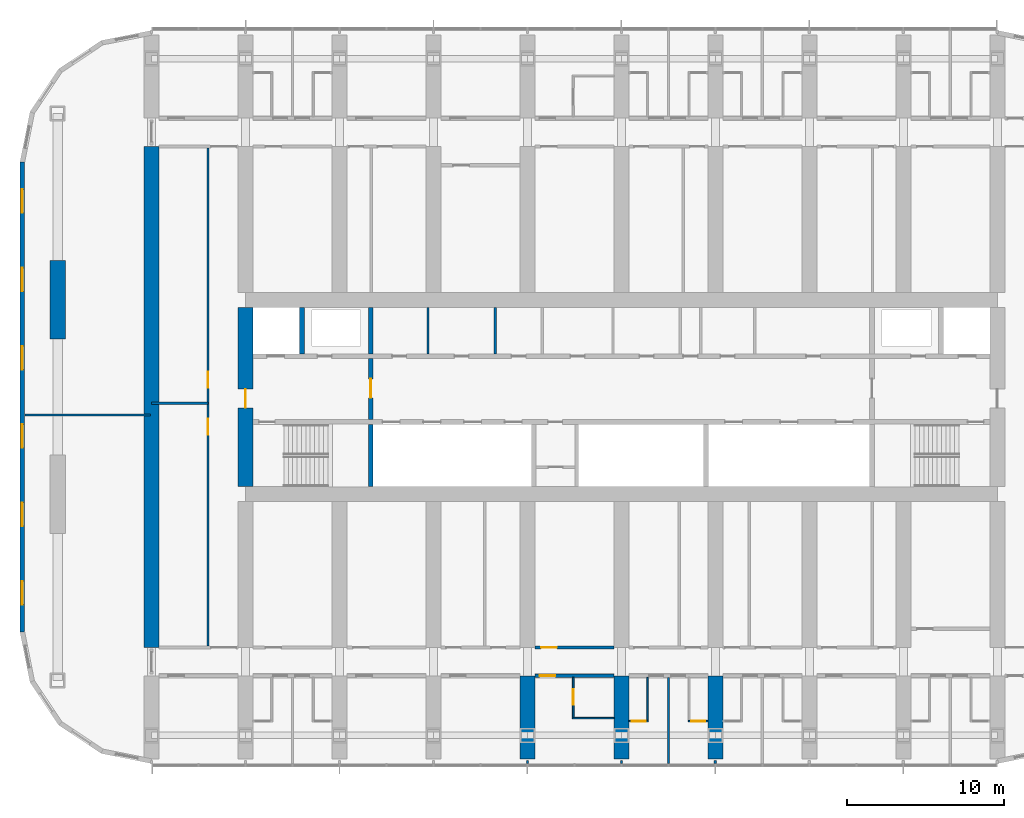
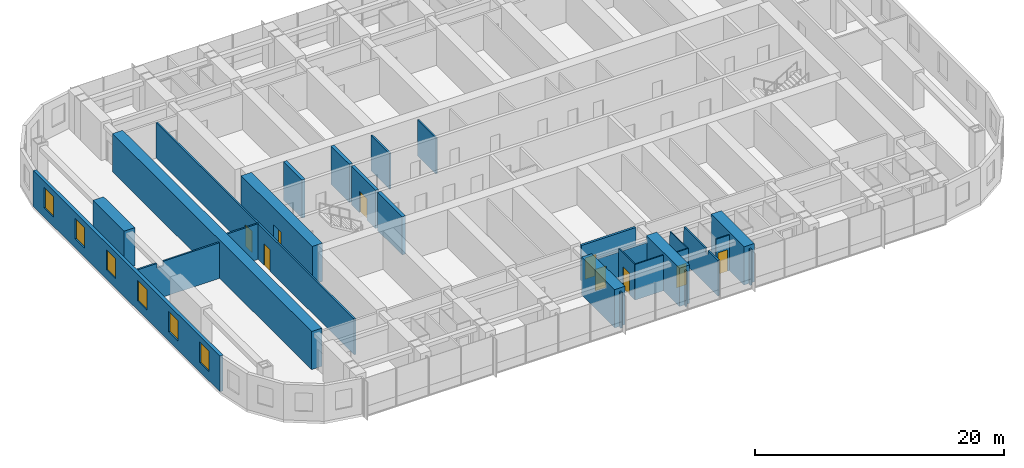
# One storey, part 9 of 21: 27 walls, 9 doors, 6 windows, 15 openings.
"""IFC4 building model written with IfcOpenShell, lengths in metres."""

from ifc_helpers import new_model, si_unit, direction, frame, frame_2d, origin, place, context, subcontext, project, spatial, polyline, rectangle, outline, extrude, material, layer, layer_set, type_object, element, fill, save


model = new_model("IFC4")

# Units and contexts
model_context = context("Model", 3, precision=1e-05, world=origin(), true_north=direction((0.0, 1.0)))
body_context = subcontext(model_context, "Body", "Model", "MODEL_VIEW")
ifc_project = project(units=[si_unit("LENGTHUNIT", "METRE"), si_unit("AREAUNIT", "SQUARE_METRE"), si_unit("VOLUMEUNIT", "CUBIC_METRE"), si_unit("PLANEANGLEUNIT", "RADIAN"), si_unit("MASSUNIT", "GRAM", prefix="KILO")], contexts=[model_context])

# Site, building, storey
site_placement = place(None, origin())
site = spatial("IfcSite", under=ifc_project, at=site_placement, CompositionType="ELEMENT")
building_placement = place(site_placement, origin())
building = spatial("IfcBuilding", under=site, at=building_placement, Name="Orbita Commons", CompositionType="ELEMENT")
storey_placement = place(building_placement, frame((0.0, 0.0, 106.89990234375)))
storey = spatial("IfcBuildingStorey", under=building, at=storey_placement, Name="L26", CompositionType="ELEMENT", Elevation=106.89990234375)

# Wall
ifc_material_1 = material(Name="Concrete C50/60", Category="concrete")
ifc_layer_1 = layer(ifc_material_1, 0.300048828125)
ifc_layer_set_1 = layer_set([ifc_layer_1], Name="Concrete C50/60")
wall_type_1 = type_object("IfcWallType", Name="Core inner wall 300 C50/60", PredefinedType="SHEAR", material=ifc_layer_set_1)
wall_1_placement = place(storey_placement, frame((26.0, 26.27490234375, 0.0), z_axis=(0.0, 0.0, 1.0), x_axis=(0.0, 1.0, 0.0)))
element("IfcWall", 1, at=wall_1_placement, inside=storey, type_object=wall_type_1, Name="Stair S1 wall L26", PredefinedType="SHEAR", context=body_context, shape_type="SweptSolid", body=[
    extrude(rectangle(XDim=3.97509765625, YDim=0.300048828125, at=frame_2d((1.987548828125, 0.0))), origin(), (0.0, 0.0, 1.0), 3.75),
])

# Wall, opening, door
wall_2_placement = place(storey_placement, frame((26.0, 30.550048828125, 0.0), z_axis=(0.0, 0.0, 1.0), x_axis=(0.0, 1.0, 0.0)))
wall_2 = element("IfcWall", 2, at=wall_2_placement, inside=storey, type_object=wall_type_1, Name="Firefighting lobby wall west L26", PredefinedType="SHEAR", context=body_context, shape_type="SweptSolid", body=[
    extrude(rectangle(XDim=3.89990234375, YDim=0.300048828125, at=frame_2d((1.949951171875, 0.0))), origin(), (0.0, 0.0, 1.0), 3.75),
])
opening_1_placement = place(wall_2_placement, frame((1.39990234375, 0.0, 0.0)))
opening_1 = element("IfcOpeningElement", 3, at=opening_1_placement, cuts=wall_2, Name="Opening D04", PredefinedType="OPENING", context=body_context, shape_type="SweptSolid", body=[
    extrude(rectangle(XDim=1.199951171875, YDim=2.10009765625, at=frame_2d((0.60009765625, 1.050048828125))), frame((0.0, 0.159912109375, 0.0), z_axis=(0.0, -1.0, 0.0), x_axis=(1.0, 0.0, 0.0)), (0.0, 0.0, 1.0), 0.320068359375),
])
ifc_material_2 = material(Name="Steel-faced fire door leaf", Category="steel")
door_type_1 = type_object("IfcDoorType", Name="Service door 20 min 1200x2100", OperationType="SINGLE_SWING_LEFT", PredefinedType="DOOR", material=ifc_material_2)
door_1_placement = place(opening_1_placement, origin())
door_1 = element("IfcDoor", 4, at=door_1_placement, inside=storey, type_object=door_type_1, Name="Lift lobby door west", OperationType="SINGLE_SWING_LEFT", OverallHeight=2.10009765625, OverallWidth=1.199951171875, PredefinedType="DOOR", context=body_context, shape_type="SweptSolid", body=[
    extrude(rectangle(XDim=1.199951171875, YDim=2.10009765625, at=frame_2d((0.60009765625, 1.050048828125))), frame((0.0, 0.02490234375, 0.0), z_axis=(0.0, -1.0, 0.0), x_axis=(1.0, 0.0, 0.0)), (0.0, 0.0, 1.0), 0.050048828125),
])
fill(opening_1, door_1)

# Walls
for number, where, z_axis, x_axis, name in (
    (5, (21.60009765625, 34.75, 0.0), (0.0, 0.0, 1.0), (0.0, 1.0, 0.0), "Firefighting lift FL1 shaft wall L26"),
    (6, (26.0, 34.75, 0.0), (0.0, 0.0, 1.0), (0.0, 1.0, 0.0), "Riser wall west L26"),
):
    element("IfcWall", number, at=place(storey_placement, frame(where, z_axis=z_axis, x_axis=x_axis)), inside=storey, type_object=wall_type_1, Name=name, PredefinedType="SHEAR", context=body_context, shape_type="SweptSolid", body=[
        extrude(rectangle(XDim=2.97509765625, YDim=0.300048828125, at=frame_2d((1.487548828125, 0.0))), origin(), (0.0, 0.0, 1.0), 3.75),
    ])
ifc_material_3 = material(Name="Concrete blockwork", Category="masonry")
ifc_layer_2 = layer(ifc_material_3, 0.14990234375)
ifc_layer_set_2 = layer_set([ifc_layer_2], Name="Concrete blockwork")
wall_type_2 = type_object("IfcWallType", Name="Core partition 150 blockwork", PredefinedType="SOLIDWALL", material=ifc_layer_set_2)
for number, where, z_axis, x_axis, name in (
    (7, (29.65087890625, 34.75, 0.0), (0.0, 0.0, 1.0), (0.0, 1.0, 0.0), "Core partition 150 blockwork L26"),
    (8, (33.9462890625, 34.75, 0.0), (0.0, 0.0, 1.0), (0.0, 1.0, 0.0), "Core partition 150 blockwork L26"),
):
    element("IfcWall", number, at=place(storey_placement, frame(where, z_axis=z_axis, x_axis=x_axis)), inside=storey, type_object=wall_type_2, Name=name, PredefinedType="SOLIDWALL", context=body_context, shape_type="SweptSolid", body=[
        extrude(rectangle(XDim=2.97509765625, YDim=0.14990234375, at=frame_2d((1.487548828125, 0.0))), origin(), (0.0, 0.0, 1.0), 3.5),
    ])

# Wall, opening, door
ifc_material_4 = material(Name="Concrete C50/60", Category="concrete")
ifc_layer_3 = layer(ifc_material_4, 0.949951171875)
ifc_layer_set_3 = layer_set([ifc_layer_3], Name="Concrete C50/60")
wall_type_3 = type_object("IfcWallType", Name="Core wall 950 C50/60", PredefinedType="SHEAR", material=ifc_layer_set_3)
wall_3_placement = place(storey_placement, frame((18.0, 26.27490234375, 0.0), z_axis=(0.0, 0.0, 1.0), x_axis=(0.0, 1.0, 0.0)))
wall_3 = element("IfcWall", 9, at=wall_3_placement, inside=storey, type_object=wall_type_3, Name="Core end wall west L26", PredefinedType="SHEAR", context=body_context, shape_type="SweptSolid", body=[
    extrude(rectangle(XDim=11.4501953125, YDim=0.949951171875, at=frame_2d((5.72509765625, 0.0))), origin(), (0.0, 0.0, 1.0), 3.75),
])
opening_2_placement = place(wall_3_placement, frame((5.02490234375, 0.0, 0.0)))
opening_2 = element("IfcOpeningElement", 10, at=opening_2_placement, cuts=wall_3, Name="Opening D01", PredefinedType="OPENING", context=body_context, shape_type="SweptSolid", body=[
    extrude(rectangle(XDim=1.199951171875, YDim=2.10009765625, at=frame_2d((0.60009765625, 1.050048828125))), frame((0.0, 0.48486328125, 0.0), z_axis=(0.0, -1.0, 0.0), x_axis=(1.0, 0.0, 0.0)), (0.0, 0.0, 1.0), 0.969970703125),
])
ifc_material_5 = material(Name="Steel-faced fire door leaf", Category="steel")
door_type_2 = type_object("IfcDoorType", Name="Fire door 90 min 1200x2100", OperationType="SINGLE_SWING_LEFT", PredefinedType="DOOR", material=ifc_material_5)
door_2_placement = place(opening_2_placement, origin())
door_2 = element("IfcDoor", 11, at=door_2_placement, inside=storey, type_object=door_type_2, Name="Firefighting lobby west door", OperationType="SINGLE_SWING_LEFT", OverallHeight=2.10009765625, OverallWidth=1.199951171875, PredefinedType="DOOR", context=body_context, shape_type="SweptSolid", body=[
    extrude(rectangle(XDim=1.199951171875, YDim=2.10009765625, at=frame_2d((0.60009765625, 1.050048828125))), frame((0.0, 0.02490234375, 0.0), z_axis=(0.0, -1.0, 0.0), x_axis=(1.0, 0.0, 0.0)), (0.0, 0.0, 1.0), 0.050048828125),
])
fill(opening_2, door_2)

ifc_material_6 = material(Name="Concrete blockwork", Category="masonry")
ifc_layer_4 = layer(ifc_material_6, 0.199951171875)
ifc_layer_set_4 = layer_set([ifc_layer_4], Name="Concrete blockwork")
wall_type_4 = type_object("IfcWallType", Name="Corridor wall 200 blockwork", PredefinedType="SOLIDWALL", material=ifc_layer_set_4)
wall_4_placement = place(storey_placement, frame((36.47509765625, 14.199951171875, 0.0), z_axis=(0.0, 0.0, 1.0), x_axis=(1.0, 0.0, 0.0)))
wall_4 = element("IfcWall", 12, at=wall_4_placement, inside=storey, type_object=wall_type_4, Name="Corridor wall 200 blockwork L26", PredefinedType="SOLIDWALL", context=body_context, shape_type="SweptSolid", body=[
    extrude(outline(polyline([(0.0, 0.0), (5.0498046875, 0.0), (5.050048828125, 3.10009765625), (0.0, 3.10009765625), (0.0, 0.0)])), frame((0.0, 0.10009765625, 0.0), z_axis=(0.0, -1.0, 0.0), x_axis=(1.0, 0.0, 0.0)), (0.0, 0.0, 1.0), 0.199951171875),
])
opening_3_placement = place(wall_4_placement, frame((0.300048828125, 0.0, 0.0)))
opening_3 = element("IfcOpeningElement", 13, at=opening_3_placement, cuts=wall_4, Name="Opening D06", PredefinedType="OPENING", context=body_context, shape_type="SweptSolid", body=[
    extrude(rectangle(XDim=1.0, YDim=2.10009765625, at=frame_2d((0.5, 1.050048828125))), frame((0.0, 0.10986328125, 0.0), z_axis=(0.0, -1.0, 0.0), x_axis=(1.0, 0.0, 0.0)), (0.0, 0.0, 1.0), 0.219970703125),
])
ifc_material_7 = material(Name="Steel-faced fire door leaf", Category="steel")
door_type_3 = type_object("IfcDoorType", Name="Corridor door 20 min 1000x2100", OperationType="SINGLE_SWING_LEFT", PredefinedType="DOOR", material=ifc_material_7)
door_3_placement = place(opening_3_placement, origin())
door_3 = element("IfcDoor", 14, at=door_3_placement, inside=storey, type_object=door_type_3, Name="Accessible bedroom L26-S08 door", OperationType="SINGLE_SWING_LEFT", OverallHeight=2.10009765625, OverallWidth=1.0, PredefinedType="DOOR", context=body_context, shape_type="SweptSolid", body=[
    extrude(rectangle(XDim=1.0, YDim=2.10009765625, at=frame_2d((0.5, 1.050048828125))), frame((0.0, 0.02490234375, 0.0), z_axis=(0.0, -1.0, 0.0), x_axis=(1.0, 0.0, 0.0)), (0.0, 0.0, 1.0), 0.050048828125),
])
fill(opening_3, door_3)

ifc_material_8 = material(Name="Hollow concrete block 200", Category="concrete")
ifc_layer_5 = layer(ifc_material_8, 0.199951171875)
ifc_layer_set_5 = layer_set([ifc_layer_5], Name="Hollow concrete block 200")
wall_type_5 = type_object("IfcWallType", Name="Corridor wall 200 hollow concrete block", PredefinedType="SOLIDWALL", material=ifc_layer_set_5)
wall_5_placement = place(storey_placement, frame((36.47509765625, 16.0, 0.0), z_axis=(0.0, 0.0, 1.0), x_axis=(1.0, 0.0, 0.0)))
wall_5 = element("IfcWall", 15, at=wall_5_placement, inside=storey, type_object=wall_type_5, Name="Corridor wall 200 hollow concrete block L26", PredefinedType="SOLIDWALL", context=body_context, shape_type="SweptSolid", body=[
    extrude(rectangle(XDim=5.0498046875, YDim=0.199951171875, at=frame_2d((2.52490234375, 0.0))), origin(), (0.0, 0.0, 1.0), 3.5),
])
opening_4_placement = place(wall_5_placement, frame((0.39990234375, 0.0, 0.0)))
opening_4 = element("IfcOpeningElement", 16, at=opening_4_placement, cuts=wall_5, Name="Opening D06", PredefinedType="OPENING", context=body_context, shape_type="SweptSolid", body=[
    extrude(rectangle(XDim=1.0, YDim=2.10009765625, at=frame_2d((0.5, 1.050048828125))), frame((0.0, 0.10986328125, 0.0), z_axis=(0.0, -1.0, 0.0), x_axis=(1.0, 0.0, 0.0)), (0.0, 0.0, 1.0), 0.219970703125),
])
door_4_placement = place(opening_4_placement, origin())
door_4 = element("IfcDoor", 17, at=door_4_placement, inside=storey, type_object=door_type_3, Name="IT and print room L26-BDS36 door", OperationType="SINGLE_SWING_LEFT", OverallHeight=2.10009765625, OverallWidth=1.0, PredefinedType="DOOR", context=body_context, shape_type="SweptSolid", body=[
    extrude(rectangle(XDim=1.0, YDim=2.10009765625, at=frame_2d((0.5, 1.050048828125))), frame((0.0, 0.02490234375, 0.0), z_axis=(0.0, -1.0, 0.0), x_axis=(1.0, 0.0, 0.0)), (0.0, 0.0, 1.0), 0.050048828125),
])
fill(opening_4, door_4)

# Walls
ifc_material_9 = material(Name="Concrete C50/60", Category="concrete")
ifc_layer_6 = layer(ifc_material_9, 0.949951171875)
ifc_layer_set_6 = layer_set([ifc_layer_6], Name="Concrete C50/60")
wall_type_6 = type_object("IfcWallType", Name="Cross wall 950 C50/60", PredefinedType="SHEAR", material=ifc_layer_set_6)
wall_6_placement = place(storey_placement, frame((12.0, 16.0, 0.0), z_axis=(0.0, 0.0, 1.0), x_axis=(0.0, 1.0, 0.0)))
element("IfcWall", 18, at=wall_6_placement, inside=storey, type_object=wall_type_6, Name="Cross wall 3 inner L26", PredefinedType="SHEAR", context=body_context, shape_type="SweptSolid", body=[
    extrude(rectangle(XDim=32.0, YDim=0.949951171875, at=frame_2d((16.0, 0.0))), origin(), (0.0, 0.0, 1.0), 3.75),
])
for number, where, z_axis, x_axis, name in (
    (19, (36.0, 8.89990234375, 0.0), (0.0, 0.0, 1.0), (0.0, 1.0, 0.0), "Cross wall 7 south outer L26"),
    (20, (42.0, 8.89990234375, 0.0), (0.0, 0.0, 1.0), (0.0, 1.0, 0.0), "Cross wall 8 south outer L26"),
    (21, (48.0, 8.89990234375, 0.0), (0.0, 0.0, 1.0), (0.0, 1.0, 0.0), "Cross wall 9 south outer L26"),
):
    element("IfcWall", number, at=place(storey_placement, frame(where, z_axis=z_axis, x_axis=x_axis)), inside=storey, type_object=wall_type_6, Name=name, PredefinedType="SHEAR", context=body_context, shape_type="SweptSolid", body=[
        extrude(rectangle(XDim=5.300048828125, YDim=0.949951171875, at=frame_2d((2.64990234375, 0.0))), origin(), (0.0, 0.0, 1.0), 3.75),
    ])
ifc_material_10 = material(Name="Moisture-resistant plasterboard on steel studs", Category="steel")
ifc_layer_7 = layer(ifc_material_10, 0.10009765625)
ifc_layer_set_7 = layer_set([ifc_layer_7], Name="Moisture-resistant plasterboard on steel studs")
wall_type_7 = type_object("IfcWallType", Name="En-suite partition 100", PredefinedType="PARTITIONING", material=ifc_layer_set_7)
wall_7_placement = place(storey_placement, frame((38.875, 11.5, 0.0), z_axis=(0.0, 0.0, 1.0), x_axis=(1.0, 0.0, 0.0)))
element("IfcWall", 22, at=wall_7_placement, inside=storey, type_object=wall_type_7, Name="En-suite partition 100 L26", PredefinedType="PARTITIONING", context=body_context, shape_type="SweptSolid", body=[
    extrude(rectangle(XDim=2.64990234375, YDim=0.10009765625, at=frame_2d((1.324951171875, 0.0))), origin(), (0.0, 0.0, 1.0), 3.5),
])

# Wall, opening, door
wall_8_placement = place(storey_placement, frame((38.925048828125, 11.550048828125, 0.0), z_axis=(0.0, 0.0, 1.0), x_axis=(0.0, 1.0, 0.0)))
wall_8 = element("IfcWall", 23, at=wall_8_placement, inside=storey, type_object=wall_type_7, Name="En-suite partition 100 L26", PredefinedType="PARTITIONING", context=body_context, shape_type="SweptSolid", body=[
    extrude(outline(polyline([(0.0, 0.0), (2.550048828125, 0.0), (2.550048828125, 3.10009765625), (2.501953125, 3.10009765625), (2.5, 3.5), (0.0, 3.5), (0.0, 0.0)])), frame((0.0, 0.050048828125, 0.0), z_axis=(0.0, -1.0, 0.0), x_axis=(1.0, 0.0, 0.0)), (0.0, 0.0, 1.0), 0.10009765625),
])
opening_5_placement = place(wall_8_placement, frame((0.800048828125, 0.0, 0.0)))
opening_5 = element("IfcOpeningElement", 24, at=opening_5_placement, cuts=wall_8, Name="Opening D13", PredefinedType="OPENING", context=body_context, shape_type="SweptSolid", body=[
    extrude(rectangle(XDim=1.0, YDim=2.10009765625, at=frame_2d((0.5, 1.050048828125))), frame((0.0, 0.06005859375, 0.0), z_axis=(0.0, -1.0, 0.0), x_axis=(1.0, 0.0, 0.0)), (0.0, 0.0, 1.0), 0.1201171875),
])
ifc_material_11 = material(Name="Laminated timber door leaf", Category="wood")
door_type_4 = type_object("IfcDoorType", Name="En-suite door 1000x2100", OperationType="SINGLE_SWING_RIGHT", PredefinedType="DOOR", material=ifc_material_11)
door_5_placement = place(opening_5_placement, origin())
door_5 = element("IfcDoor", 25, at=door_5_placement, inside=storey, type_object=door_type_4, Name="Accessible shower room L26-S08 door", OperationType="SINGLE_SWING_RIGHT", OverallHeight=2.10009765625, OverallWidth=1.0, PredefinedType="DOOR", context=body_context, shape_type="SweptSolid", body=[
    extrude(rectangle(XDim=1.0, YDim=2.10009765625, at=frame_2d((0.5, 1.050048828125))), frame((0.0, 0.02490234375, 0.0), z_axis=(0.0, -1.0, 0.0), x_axis=(1.0, 0.0, 0.0)), (0.0, 0.0, 1.0), 0.050048828125),
])
fill(opening_5, door_5)

wall_9_placement = place(storey_placement, frame((43.72509765625, 11.300048828125, 0.0), z_axis=(0.0, 0.0, 1.0), x_axis=(-1.0, 0.0, 0.0)))
wall_9 = element("IfcWall", 26, at=wall_9_placement, inside=storey, type_object=wall_type_7, Name="En-suite partition 100 L26", PredefinedType="PARTITIONING", context=body_context, shape_type="SweptSolid", body=[
    extrude(rectangle(XDim=1.25, YDim=0.10009765625, at=frame_2d((0.625, 0.0))), origin(), (0.0, 0.0, 1.0), 3.5),
])
opening_6_placement = place(wall_9_placement, frame((0.175048828125, 0.0, 0.0)))
opening_6 = element("IfcOpeningElement", 27, at=opening_6_placement, cuts=wall_9, Name="Opening D09", PredefinedType="OPENING", context=body_context, shape_type="SweptSolid", body=[
    extrude(rectangle(XDim=0.89990234375, YDim=2.10009765625, at=frame_2d((0.449951171875, 1.050048828125))), frame((0.0, 0.06005859375, 0.0), z_axis=(0.0, -1.0, 0.0), x_axis=(1.0, 0.0, 0.0)), (0.0, 0.0, 1.0), 0.1201171875),
])
ifc_material_12 = material(Name="Laminated timber door leaf", Category="wood")
door_type_5 = type_object("IfcDoorType", Name="En-suite door 900x2100", OperationType="SINGLE_SWING_RIGHT", PredefinedType="DOOR", material=ifc_material_12)
door_6_placement = place(opening_6_placement, origin())
door_6 = element("IfcDoor", 28, at=door_6_placement, inside=storey, type_object=door_type_5, Name="En-suite L26-S10 door", OperationType="SINGLE_SWING_RIGHT", OverallHeight=2.10009765625, OverallWidth=0.89990234375, PredefinedType="DOOR", context=body_context, shape_type="SweptSolid", body=[
    extrude(rectangle(XDim=0.89990234375, YDim=2.10009765625, at=frame_2d((0.449951171875, 1.050048828125))), frame((0.0, 0.02490234375, 0.0), z_axis=(0.0, -1.0, 0.0), x_axis=(1.0, 0.0, 0.0)), (0.0, 0.0, 1.0), 0.050048828125),
])
fill(opening_6, door_6)

# Wall
wall_10_placement = place(storey_placement, frame((43.675048828125, 11.35009765625, 0.0), z_axis=(0.0, 0.0, 1.0), x_axis=(0.0, 1.0, 0.0)))
element("IfcWall", 29, at=wall_10_placement, inside=storey, type_object=wall_type_7, Name="En-suite partition 100 L26", PredefinedType="PARTITIONING", context=body_context, shape_type="SweptSolid", body=[
    extrude(outline(polyline([(0.0, 0.0), (2.75, 0.0), (2.75, 3.10009765625), (2.701904296875, 3.10009765625), (2.699951171875, 3.5), (0.0, 3.5), (0.0, 0.0)])), frame((0.0, 0.050048828125, 0.0), z_axis=(0.0, -1.0, 0.0), x_axis=(1.0, 0.0, 0.0)), (0.0, 0.0, 1.0), 0.10009765625),
])

# Wall, opening, door
wall_11_placement = place(storey_placement, frame((47.52490234375, 11.300048828125, 0.0), z_axis=(0.0, 0.0, 1.0), x_axis=(-1.0, 0.0, 0.0)))
wall_11 = element("IfcWall", 30, at=wall_11_placement, inside=storey, type_object=wall_type_7, Name="En-suite partition 100 L26", PredefinedType="PARTITIONING", context=body_context, shape_type="SweptSolid", body=[
    extrude(rectangle(XDim=1.25, YDim=0.10009765625, at=frame_2d((0.625, 0.0))), origin(), (0.0, 0.0, 1.0), 3.5),
])
opening_7_placement = place(wall_11_placement, frame((0.175048828125, 0.0, 0.0)))
opening_7 = element("IfcOpeningElement", 31, at=opening_7_placement, cuts=wall_11, Name="Opening D09", PredefinedType="OPENING", context=body_context, shape_type="SweptSolid", body=[
    extrude(rectangle(XDim=0.89990234375, YDim=2.10009765625, at=frame_2d((0.449951171875, 1.050048828125))), frame((0.0, 0.06005859375, 0.0), z_axis=(0.0, -1.0, 0.0), x_axis=(1.0, 0.0, 0.0)), (0.0, 0.0, 1.0), 0.1201171875),
])
door_7_placement = place(opening_7_placement, origin())
door_7 = element("IfcDoor", 32, at=door_7_placement, inside=storey, type_object=door_type_5, Name="En-suite L26-S11 door", OperationType="SINGLE_SWING_RIGHT", OverallHeight=2.10009765625, OverallWidth=0.89990234375, PredefinedType="DOOR", context=body_context, shape_type="SweptSolid", body=[
    extrude(rectangle(XDim=0.89990234375, YDim=2.10009765625, at=frame_2d((0.449951171875, 1.050048828125))), frame((0.0, 0.02490234375, 0.0), z_axis=(0.0, -1.0, 0.0), x_axis=(1.0, 0.0, 0.0)), (0.0, 0.0, 1.0), 0.050048828125),
])
fill(opening_7, door_7)

# Wall
ifc_material_13 = material(Name="Concrete C50/60", Category="concrete")
ifc_layer_8 = layer(ifc_material_13, 1.0)
ifc_layer_set_8 = layer_set([ifc_layer_8], Name="Concrete C50/60")
wall_type_8 = type_object("IfcWallType", Name="End pier 1000x5000 C50/60", PredefinedType="SHEAR", material=ifc_layer_set_8)
wall_12_placement = place(storey_placement, frame((6.0, 35.699951171875, 0.0), z_axis=(0.0, 0.0, 1.0), x_axis=(0.0, 1.0, 0.0)))
element("IfcWall", 33, at=wall_12_placement, inside=storey, type_object=wall_type_8, Name="End pier 2/D L26", PredefinedType="SHEAR", context=body_context, shape_type="SweptSolid", body=[
    extrude(rectangle(XDim=5.0, YDim=1.0, at=frame_2d((2.5, 0.0))), origin(), (0.0, 0.0, 1.0), 3.75),
])

# Wall, openings, doors
ifc_material_14 = material(Name="Gypsum plasterboard on steel studs", Category="steel")
ifc_layer_9 = layer(ifc_material_14, 0.14990234375)
ifc_layer_set_9 = layer_set([ifc_layer_9], Name="Gypsum plasterboard on steel studs")
wall_type_9 = type_object("IfcWallType", Name="Partition 150 plasterboard", PredefinedType="PARTITIONING", material=ifc_layer_set_9)
wall_13_placement = place(storey_placement, frame((15.60009765625, 16.10009765625, 0.0), z_axis=(0.0, 0.0, 1.0), x_axis=(0.0, 1.0, 0.0)))
wall_13 = element("IfcWall", 34, at=wall_13_placement, inside=storey, type_object=wall_type_9, Name="Partition 150 plasterboard L26", PredefinedType="PARTITIONING", context=body_context, shape_type="SweptSolid", body=[
    extrude(rectangle(XDim=31.7998046875, YDim=0.14990234375, at=frame_2d((15.89990234375, 0.0))), origin(), (0.0, 0.0, 1.0), 3.5),
])
opening_8_placement = place(wall_13_placement, frame((13.5, 0.0, 0.0)))
opening_8 = element("IfcOpeningElement", 35, at=opening_8_placement, cuts=wall_13, Name="Opening D06", PredefinedType="OPENING", context=body_context, shape_type="SweptSolid", body=[
    extrude(rectangle(XDim=1.0, YDim=2.10009765625, at=frame_2d((0.5, 1.050048828125))), frame((0.0, 0.0849609375, 0.0), z_axis=(0.0, -1.0, 0.0), x_axis=(1.0, 0.0, 0.0)), (0.0, 0.0, 1.0), 0.169921875),
])
opening_9_placement = place(wall_13_placement, frame((16.5, 0.0, 0.0)))
opening_9 = element("IfcOpeningElement", 36, at=opening_9_placement, cuts=wall_13, Name="Opening D06", PredefinedType="OPENING", context=body_context, shape_type="SweptSolid", body=[
    extrude(rectangle(XDim=1.0, YDim=2.10009765625, at=frame_2d((0.5, 1.050048828125))), frame((0.0, 0.0849609375, 0.0), z_axis=(0.0, -1.0, 0.0), x_axis=(1.0, 0.0, 0.0)), (0.0, 0.0, 1.0), 0.169921875),
])
door_8_placement = place(opening_8_placement, origin())
door_8 = element("IfcDoor", 37, at=door_8_placement, inside=storey, type_object=door_type_3, Name="Interview room door", OperationType="SINGLE_SWING_LEFT", OverallHeight=2.10009765625, OverallWidth=1.0, PredefinedType="DOOR", context=body_context, shape_type="SweptSolid", body=[
    extrude(rectangle(XDim=1.0, YDim=2.10009765625, at=frame_2d((0.5, 1.050048828125))), frame((0.0, 0.02490234375, 0.0), z_axis=(0.0, -1.0, 0.0), x_axis=(1.0, 0.0, 0.0)), (0.0, 0.0, 1.0), 0.050048828125),
])
fill(opening_8, door_8)
door_9_placement = place(opening_9_placement, origin())
door_9 = element("IfcDoor", 38, at=door_9_placement, inside=storey, type_object=door_type_3, Name="Prayer room door", OperationType="SINGLE_SWING_LEFT", OverallHeight=2.10009765625, OverallWidth=1.0, PredefinedType="DOOR", context=body_context, shape_type="SweptSolid", body=[
    extrude(rectangle(XDim=1.0, YDim=2.10009765625, at=frame_2d((0.5, 1.050048828125))), frame((0.0, 0.02490234375, 0.0), z_axis=(0.0, -1.0, 0.0), x_axis=(1.0, 0.0, 0.0)), (0.0, 0.0, 1.0), 0.050048828125),
])
fill(opening_9, door_9)

# Walls
wall_14_placement = place(storey_placement, frame((12.0, 31.60009765625, 0.0), z_axis=(0.0, 0.0, 1.0), x_axis=(1.0, 0.0, 0.0)))
element("IfcWall", 39, at=wall_14_placement, inside=storey, type_object=wall_type_9, Name="Partition 150 plasterboard L26", PredefinedType="PARTITIONING", context=body_context, shape_type="SweptSolid", body=[
    extrude(rectangle(XDim=3.60009765625, YDim=0.14990234375, at=frame_2d((1.800048828125, 0.0))), origin(), (0.0, 0.0, 1.0), 3.5),
])
wall_15_placement = place(storey_placement, frame((3.905029296875, 30.85009765625, 0.0), z_axis=(0.0, 0.0, 1.0), x_axis=(1.0, 0.0, 0.0)))
element("IfcWall", 40, at=wall_15_placement, inside=storey, type_object=wall_type_9, Name="Partition 150 plasterboard L26", PredefinedType="PARTITIONING", context=body_context, shape_type="SweptSolid", body=[
    extrude(outline(polyline([(0.0, 0.0), (8.02001953125, 0.0), (8.02001953125, 3.5), (2.39697265625, 3.5), (2.39501953125, 3.050048828125), (1.797119140625, 3.050048828125), (1.794921875, 3.5), (0.0, 3.5), (0.0, 0.0)])), frame((0.0, 0.074951171875, 0.0), z_axis=(0.0, -1.0, 0.0), x_axis=(1.0, 0.0, 0.0)), (0.0, 0.0, 1.0), 0.14990234375),
])
for number, where, z_axis, x_axis, name in (
    (41, (36.0, 8.800048828125, 0.0), (0.0, 0.0, 1.0), (0.0, -1.0, 0.0), "Partition 150 plasterboard L26"),
    (42, (42.0, 8.800048828125, 0.0), (0.0, 0.0, 1.0), (0.0, -1.0, 0.0), "Partition 150 plasterboard L26"),
    (43, (48.0, 8.800048828125, 0.0), (0.0, 0.0, 1.0), (0.0, -1.0, 0.0), "Partition 150 plasterboard L26"),
):
    element("IfcWall", number, at=place(storey_placement, frame(where, z_axis=z_axis, x_axis=x_axis)), inside=storey, type_object=wall_type_9, Name=name, PredefinedType="PARTITIONING", context=body_context, shape_type="SweptSolid", body=[
        extrude(rectangle(XDim=0.18994140625, YDim=0.14990234375, at=frame_2d((0.094970703125, 0.0))), origin(), (0.0, 0.0, 1.0), 3.5),
    ])
ifc_material_15 = material(Name="Gypsum plasterboard on steel studs", Category="steel")
ifc_layer_10 = layer(ifc_material_15, 0.14990234375)
ifc_layer_set_10 = layer_set([ifc_layer_10], Name="Gypsum plasterboard on steel studs")
wall_type_10 = type_object("IfcWallType", Name="Party wall 150 plasterboard", PredefinedType="PARTITIONING", material=ifc_layer_set_10)
wall_16_placement = place(storey_placement, frame((45.0, 8.610107421875, 0.0), z_axis=(0.0, 0.0, 1.0), x_axis=(0.0, 1.0, 0.0)))
element("IfcWall", 44, at=wall_16_placement, inside=storey, type_object=wall_type_10, Name="Party wall 150 plasterboard L26", PredefinedType="PARTITIONING", context=body_context, shape_type="SweptSolid", body=[
    extrude(outline(polyline([(0.0, 0.0), (5.489990234375, 0.0), (5.489990234375, 3.10009765625), (5.44189453125, 3.10009765625), (5.43994140625, 3.5), (1.991943359375, 3.5), (1.989990234375, 3.10009765625), (1.592041015625, 3.10009765625), (1.590087890625, 3.5), (0.0, 3.5), (0.0, 0.0)])), frame((0.0, 0.074951171875, 0.0), z_axis=(0.0, -1.0, 0.0), x_axis=(1.0, 0.0, 0.0)), (0.0, 0.0, 1.0), 0.14990234375),
])

# Wall, openings, windows
ifc_material_16 = material(Name="Precast concrete C40/50, white board-marked finish", Category="concrete")
ifc_layer_11 = layer(ifc_material_16, 0.300048828125)
ifc_layer_set_11 = layer_set([ifc_layer_11], Name="Precast concrete C40/50, white board-marked finish")
wall_type_11 = type_object("IfcWallType", Name="Precast concrete end shield 300", PredefinedType="SOLIDWALL", material=ifc_layer_set_11)
wall_17_placement = place(storey_placement, frame((3.75, 47.0, 0.0), z_axis=(0.0, 0.0, 1.0), x_axis=(0.0, -1.0, 0.0)))
wall_17 = element("IfcWall", 45, at=wall_17_placement, inside=storey, type_object=wall_type_11, Name="End shield W L26", PredefinedType="SOLIDWALL", context=body_context, shape_type="SweptSolid", body=[
    extrude(outline(polyline([(-0.014892578125, -0.14990234375), (30.014892578125, -0.14990234375), (29.985107421875, 0.14990234375), (0.014892578125, 0.14990234375), (-0.014892578125, -0.14990234375)])), origin(), (0.0, 0.0, 1.0), 3.5),
])
opening_10_placement = place(wall_17_placement, frame((1.75, 0.0, 0.89990234375)))
opening_10 = element("IfcOpeningElement", 46, at=opening_10_placement, cuts=wall_17, Name="Opening W01", PredefinedType="OPENING", context=body_context, shape_type="SweptSolid", body=[
    extrude(rectangle(XDim=1.5, YDim=2.0, at=frame_2d((0.75, 1.0))), frame((0.0, 0.159912109375, 0.0), z_axis=(0.0, -1.0, 0.0), x_axis=(1.0, 0.0, 0.0)), (0.0, 0.0, 1.0), 0.320068359375),
])
opening_11_placement = place(wall_17_placement, frame((6.75, 0.0, 0.89990234375)))
opening_11 = element("IfcOpeningElement", 47, at=opening_11_placement, cuts=wall_17, Name="Opening W01", PredefinedType="OPENING", context=body_context, shape_type="SweptSolid", body=[
    extrude(rectangle(XDim=1.5, YDim=2.0, at=frame_2d((0.75, 1.0))), frame((0.0, 0.159912109375, 0.0), z_axis=(0.0, -1.0, 0.0), x_axis=(1.0, 0.0, 0.0)), (0.0, 0.0, 1.0), 0.320068359375),
])
opening_12_placement = place(wall_17_placement, frame((11.75, 0.0, 0.89990234375)))
opening_12 = element("IfcOpeningElement", 48, at=opening_12_placement, cuts=wall_17, Name="Opening W01", PredefinedType="OPENING", context=body_context, shape_type="SweptSolid", body=[
    extrude(rectangle(XDim=1.5, YDim=2.0, at=frame_2d((0.75, 1.0))), frame((0.0, 0.159912109375, 0.0), z_axis=(0.0, -1.0, 0.0), x_axis=(1.0, 0.0, 0.0)), (0.0, 0.0, 1.0), 0.320068359375),
])
opening_13_placement = place(wall_17_placement, frame((16.75, 0.0, 0.89990234375)))
opening_13 = element("IfcOpeningElement", 49, at=opening_13_placement, cuts=wall_17, Name="Opening W01", PredefinedType="OPENING", context=body_context, shape_type="SweptSolid", body=[
    extrude(rectangle(XDim=1.5, YDim=2.0, at=frame_2d((0.75, 1.0))), frame((0.0, 0.159912109375, 0.0), z_axis=(0.0, -1.0, 0.0), x_axis=(1.0, 0.0, 0.0)), (0.0, 0.0, 1.0), 0.320068359375),
])
opening_14_placement = place(wall_17_placement, frame((21.75, 0.0, 0.89990234375)))
opening_14 = element("IfcOpeningElement", 50, at=opening_14_placement, cuts=wall_17, Name="Opening W01", PredefinedType="OPENING", context=body_context, shape_type="SweptSolid", body=[
    extrude(rectangle(XDim=1.5, YDim=2.0, at=frame_2d((0.75, 1.0))), frame((0.0, 0.159912109375, 0.0), z_axis=(0.0, -1.0, 0.0), x_axis=(1.0, 0.0, 0.0)), (0.0, 0.0, 1.0), 0.320068359375),
])
opening_15_placement = place(wall_17_placement, frame((26.75, 0.0, 0.89990234375)))
opening_15 = element("IfcOpeningElement", 51, at=opening_15_placement, cuts=wall_17, Name="Opening W01", PredefinedType="OPENING", context=body_context, shape_type="SweptSolid", body=[
    extrude(rectangle(XDim=1.5, YDim=2.0, at=frame_2d((0.75, 1.0))), frame((0.0, 0.159912109375, 0.0), z_axis=(0.0, -1.0, 0.0), x_axis=(1.0, 0.0, 0.0)), (0.0, 0.0, 1.0), 0.320068359375),
])
ifc_material_17 = material(Name="Aluminium frame, clear double glazing", Category="aluminium")
window_type = type_object("IfcWindowType", Name="Deep-set window 1500x2000", PartitioningType="SINGLE_PANEL", PredefinedType="WINDOW", material=ifc_material_17)
window_1_placement = place(opening_10_placement, origin())
window_1 = element("IfcWindow", 52, at=window_1_placement, inside=storey, type_object=window_type, Name="Window L26-W 1", OverallHeight=2.0, OverallWidth=1.5, PartitioningType="SINGLE_PANEL", PredefinedType="WINDOW", context=body_context, shape_type="SweptSolid", body=[
    extrude(rectangle(XDim=1.5, YDim=2.0, at=frame_2d((0.75, 1.0))), frame((0.0, 0.030029296875, 0.0), z_axis=(0.0, -1.0, 0.0), x_axis=(1.0, 0.0, 0.0)), (0.0, 0.0, 1.0), 0.06005859375),
])
fill(opening_10, window_1)
window_2_placement = place(opening_11_placement, origin())
window_2 = element("IfcWindow", 53, at=window_2_placement, inside=storey, type_object=window_type, Name="Window L26-W 2", OverallHeight=2.0, OverallWidth=1.5, PartitioningType="SINGLE_PANEL", PredefinedType="WINDOW", context=body_context, shape_type="SweptSolid", body=[
    extrude(rectangle(XDim=1.5, YDim=2.0, at=frame_2d((0.75, 1.0))), frame((0.0, 0.030029296875, 0.0), z_axis=(0.0, -1.0, 0.0), x_axis=(1.0, 0.0, 0.0)), (0.0, 0.0, 1.0), 0.06005859375),
])
fill(opening_11, window_2)
window_3_placement = place(opening_12_placement, origin())
window_3 = element("IfcWindow", 54, at=window_3_placement, inside=storey, type_object=window_type, Name="Window L26-W 3", OverallHeight=2.0, OverallWidth=1.5, PartitioningType="SINGLE_PANEL", PredefinedType="WINDOW", context=body_context, shape_type="SweptSolid", body=[
    extrude(rectangle(XDim=1.5, YDim=2.0, at=frame_2d((0.75, 1.0))), frame((0.0, 0.030029296875, 0.0), z_axis=(0.0, -1.0, 0.0), x_axis=(1.0, 0.0, 0.0)), (0.0, 0.0, 1.0), 0.06005859375),
])
fill(opening_12, window_3)
window_4_placement = place(opening_13_placement, origin())
window_4 = element("IfcWindow", 55, at=window_4_placement, inside=storey, type_object=window_type, Name="Window L26-W 4", OverallHeight=2.0, OverallWidth=1.5, PartitioningType="SINGLE_PANEL", PredefinedType="WINDOW", context=body_context, shape_type="SweptSolid", body=[
    extrude(rectangle(XDim=1.5, YDim=2.0, at=frame_2d((0.75, 1.0))), frame((0.0, 0.030029296875, 0.0), z_axis=(0.0, -1.0, 0.0), x_axis=(1.0, 0.0, 0.0)), (0.0, 0.0, 1.0), 0.06005859375),
])
fill(opening_13, window_4)
window_5_placement = place(opening_14_placement, origin())
window_5 = element("IfcWindow", 56, at=window_5_placement, inside=storey, type_object=window_type, Name="Window L26-W 5", OverallHeight=2.0, OverallWidth=1.5, PartitioningType="SINGLE_PANEL", PredefinedType="WINDOW", context=body_context, shape_type="SweptSolid", body=[
    extrude(rectangle(XDim=1.5, YDim=2.0, at=frame_2d((0.75, 1.0))), frame((0.0, 0.030029296875, 0.0), z_axis=(0.0, -1.0, 0.0), x_axis=(1.0, 0.0, 0.0)), (0.0, 0.0, 1.0), 0.06005859375),
])
fill(opening_14, window_5)
window_6_placement = place(opening_15_placement, origin())
window_6 = element("IfcWindow", 57, at=window_6_placement, inside=storey, type_object=window_type, Name="Window L26-W 6", OverallHeight=2.0, OverallWidth=1.5, PartitioningType="SINGLE_PANEL", PredefinedType="WINDOW", context=body_context, shape_type="SweptSolid", body=[
    extrude(rectangle(XDim=1.5, YDim=2.0, at=frame_2d((0.75, 1.0))), frame((0.0, 0.030029296875, 0.0), z_axis=(0.0, -1.0, 0.0), x_axis=(1.0, 0.0, 0.0)), (0.0, 0.0, 1.0), 0.06005859375),
])
fill(opening_15, window_6)

save(model, "model.ifc")
